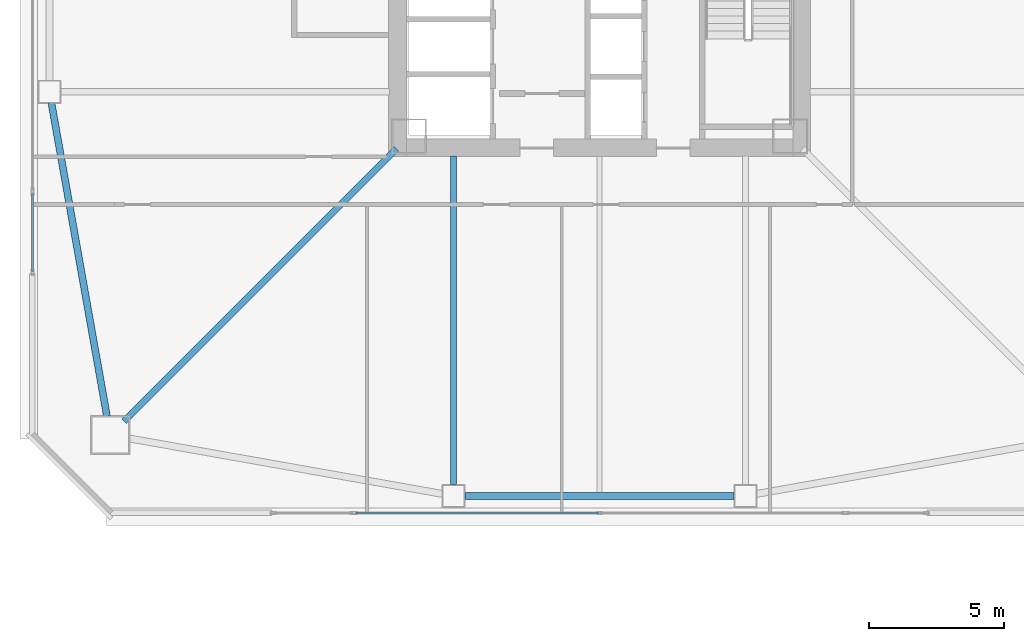
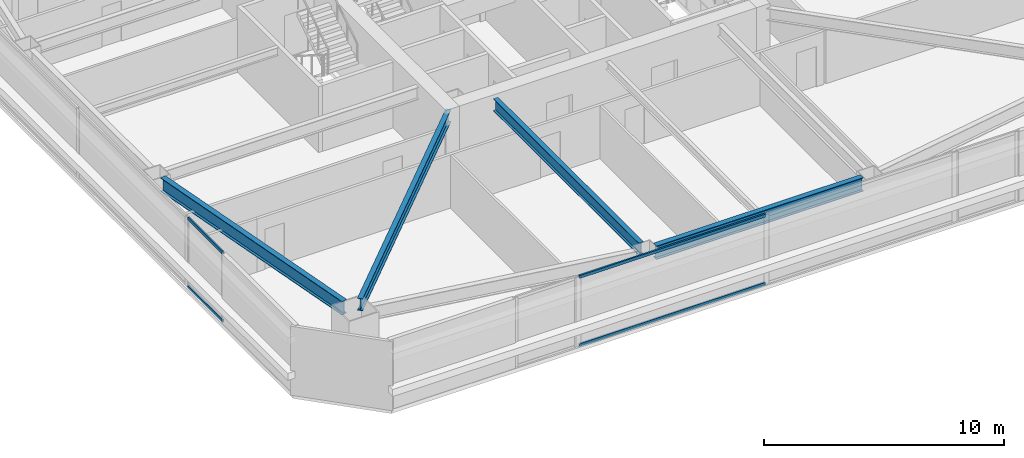
# One storey, part 4 of 44: 4 beams, 4 members, 2 elements without a shape of their own.
"""IFC4 building model written with IfcOpenShell, lengths in metres."""

from ifc_helpers import new_model, si_unit, direction, frame, origin, origin_2d, place, context, subcontext, project, spatial, hollow_rectangle, i_section, extrude, material, material_profile, profile_set, type_object, element, aggregate, save


model = new_model("IFC4")

# Units and contexts
model_context = context("Model", 3, precision=1e-05, world=origin(), true_north=direction((0.0, 1.0)))
body_context = subcontext(model_context, "Body", "Model", "MODEL_VIEW")
ifc_project = project(units=[si_unit("LENGTHUNIT", "METRE"), si_unit("AREAUNIT", "SQUARE_METRE"), si_unit("VOLUMEUNIT", "CUBIC_METRE"), si_unit("PLANEANGLEUNIT", "RADIAN"), si_unit("MASSUNIT", "GRAM", prefix="KILO")], contexts=[model_context])

# Site, building, storey
site_placement = place(None, origin())
site = spatial("IfcSite", under=ifc_project, at=site_placement, CompositionType="ELEMENT")
building_placement = place(site_placement, origin())
building = spatial("IfcBuilding", under=site, at=building_placement, Name="Tashvorn Skyway Center", CompositionType="ELEMENT")
storey_placement = place(building_placement, frame((0.0, 0.0, 74.300048828125)))
storey = spatial("IfcBuildingStorey", under=building, at=storey_placement, Name="L19", CompositionType="ELEMENT", Elevation=74.300048828125)

# Beams
ifc_material_1 = material(Name="Steel ASTM A992 Grade 50", Category="steel")
ifc_material_profile_1 = material_profile(ifc_material_1, i_section(OverallWidth=0.22998046875, OverallDepth=0.616943359375, WebThickness=0.01318359375, FlangeThickness=0.022216796875, at=origin_2d()), Name="W24X94")
ifc_profile_set_1 = profile_set([ifc_material_profile_1], Name="Steel ASTM A992 Grade 50")
beam_type_1 = type_object("IfcBeamType", Name="BM-BEAM-W24X94", PredefinedType="BEAM", material=ifc_profile_set_1)
beam_1_placement = place(storey_placement, frame((24.4091796875, 14.4091796875, 3.04150390625), z_axis=(0.707106781187, 0.707106781187, 0.0), x_axis=(-0.707106781187, 0.707106781187, 0.0)))
element("IfcBeam", 1, at=beam_1_placement, inside=storey, type_object=beam_type_1, Name="Tower 1 L19 Primary Floor Girder MC-SW", PredefinedType="BEAM", context=body_context, shape_type="SweptSolid", body=[
    extrude(i_section(OverallWidth=0.22998046875, OverallDepth=0.616943359375, WebThickness=0.01318359375, FlangeThickness=0.022216796875, at=origin_2d()), origin(), (0.0, 0.0, 1.0), 14.261962890625),
])
beam_2_placement = place(storey_placement, frame((36.60009765625, 12.070068359375, 3.04150390625), z_axis=(0.0, 1.0, 0.0), x_axis=(-1.0, 0.0, 0.0)))
element("IfcBeam", 2, at=beam_2_placement, inside=storey, type_object=beam_type_1, Name="Tower 1 L19 Primary Floor Girder FC-S1", PredefinedType="BEAM", context=body_context, shape_type="SweptSolid", body=[
    extrude(i_section(OverallWidth=0.22998046875, OverallDepth=0.616943359375, WebThickness=0.01318359375, FlangeThickness=0.022216796875, at=origin_2d()), origin(), (0.0, 0.0, 1.0), 12.14990234375),
])
ifc_material_profile_2 = material_profile(ifc_material_1, i_section(OverallWidth=0.256103515625, OverallDepth=0.693115234375, WebThickness=0.014404296875, FlangeThickness=0.023681640625, at=origin_2d()), Name="W27X114")
ifc_profile_set_2 = profile_set([ifc_material_profile_2], Name="Steel ASTM A992 Grade 50")
beam_type_2 = type_object("IfcBeamType", Name="BM-SPANDREL-W27X114", PredefinedType="SPANDREL", material=ifc_profile_set_2)
beam_3_placement = place(storey_placement, frame((37.02001953125, 11.64990234375, 3.00341796875), z_axis=(1.0, 0.0, 0.0), x_axis=(0.0, 1.0, 0.0)))
element("IfcBeam", 3, at=beam_3_placement, inside=storey, type_object=beam_type_2, Name="Tower 1 L19 Spandrel Beam 02", PredefinedType="SPANDREL", context=body_context, shape_type="SweptSolid", body=[
    extrude(i_section(OverallWidth=0.256103515625, OverallDepth=0.693115234375, WebThickness=0.014404296875, FlangeThickness=0.023681640625, at=origin_2d()), origin(), (0.0, 0.0, 1.0), 9.9599609375),
])
beam_4_placement = place(storey_placement, frame((21.723388671875, 26.1865234375, 3.00341796875), z_axis=(0.174437966698, -0.98466816531, 0.0), x_axis=(0.98466816531, 0.174437966698, 0.0)))
element("IfcBeam", 4, at=beam_4_placement, inside=storey, type_object=beam_type_2, Name="Tower 1 L19 Spandrel Beam 12", PredefinedType="SPANDREL", context=body_context, shape_type="SweptSolid", body=[
    extrude(i_section(OverallWidth=0.256103515625, OverallDepth=0.693115234375, WebThickness=0.014404296875, FlangeThickness=0.023681640625, at=origin_2d()), origin(), (0.0, 0.0, 1.0), 11.7578125),
])

# Curtain wall, members
ifc_material_2 = material(Name="Thermally broken bronze-anodized aluminium 6063-T6", Category="aluminium")
curtain_wall_type = type_object("IfcCurtainWallType", Name="CW-CW-Z2", PredefinedType="NOTDEFINED", material=ifc_material_2)
curtain_wall_1_placement = place(storey_placement, origin())
curtain_wall_1 = element("IfcCurtainWall", 5, at=curtain_wall_1_placement, inside=storey, type_object=curtain_wall_type, Name="Tower 1 L19 South Unitised Curtain Wall Glazing Group 2", PredefinedType="NOTDEFINED")
ifc_material_profile_3 = material_profile(ifc_material_2, hollow_rectangle(XDim=0.080078125, YDim=0.14990234375, WallThickness=0.00439453125, at=origin_2d()), Name="ALU-TRAN-80x150")
ifc_profile_set_3 = profile_set([ifc_material_profile_3], Name="Thermally broken bronze-anodized aluminium 6063-T6")
member_type = type_object("IfcMemberType", Name="CWT-CW-Z2", PredefinedType="USERDEFINED", material=ifc_profile_set_3)
member_1_placement = place(storey_placement, frame((41.9599609375, 11.02001953125, 0.0400390625), z_axis=(-1.0, 0.0, 0.0), x_axis=(0.0, -1.0, 0.0)))
member_1 = element("IfcMember", 6, at=member_1_placement, type_object=member_type, Name="CW-Z2 transom 2.1", ObjectType="TRANSOM", PredefinedType="USERDEFINED", context=body_context, shape_type="SweptSolid", body=[
    extrude(hollow_rectangle(XDim=0.080078125, YDim=0.14990234375, WallThickness=0.00439453125, at=origin_2d()), origin(), (0.0, 0.0, 1.0), 8.969970703125),
])
member_2_placement = place(storey_placement, frame((41.9599609375, 11.02001953125, 3.510009765625), z_axis=(-1.0, 0.0, 0.0), x_axis=(0.0, -1.0, 0.0)))
member_2 = element("IfcMember", 7, at=member_2_placement, type_object=member_type, Name="CW-Z2 transom 2.2", ObjectType="TRANSOM", PredefinedType="USERDEFINED", context=body_context, shape_type="SweptSolid", body=[
    extrude(hollow_rectangle(XDim=0.080078125, YDim=0.14990234375, WallThickness=0.00439453125, at=origin_2d()), origin(), (0.0, 0.0, 1.0), 8.969970703125),
])
aggregate(curtain_wall_1, [member_1, member_2])

curtain_wall_2_placement = place(storey_placement, origin())
curtain_wall_2 = element("IfcCurtainWall", 8, at=curtain_wall_2_placement, inside=storey, type_object=curtain_wall_type, Name="Tower 1 L19 West Unitised Curtain Wall Glazing Group 1", PredefinedType="NOTDEFINED")
member_3_placement = place(storey_placement, frame((21.02001953125, 19.9599609375, 0.0400390625), z_axis=(0.0, 1.0, 0.0), x_axis=(-1.0, 0.0, 0.0)))
member_3 = element("IfcMember", 9, at=member_3_placement, type_object=member_type, Name="CW-Z2 transom 1.1", ObjectType="TRANSOM", PredefinedType="USERDEFINED", context=body_context, shape_type="SweptSolid", body=[
    extrude(hollow_rectangle(XDim=0.080078125, YDim=0.14990234375, WallThickness=0.00439453125, at=origin_2d()), origin(), (0.0, 0.0, 1.0), 2.8701171875),
])
member_4_placement = place(storey_placement, frame((21.02001953125, 19.9599609375, 3.510009765625), z_axis=(0.0, 1.0, 0.0), x_axis=(-1.0, 0.0, 0.0)))
member_4 = element("IfcMember", 10, at=member_4_placement, type_object=member_type, Name="CW-Z2 transom 1.2", ObjectType="TRANSOM", PredefinedType="USERDEFINED", context=body_context, shape_type="SweptSolid", body=[
    extrude(hollow_rectangle(XDim=0.080078125, YDim=0.14990234375, WallThickness=0.00439453125, at=origin_2d()), origin(), (0.0, 0.0, 1.0), 2.8701171875),
])
aggregate(curtain_wall_2, [member_3, member_4])

save(model, "model.ifc")
